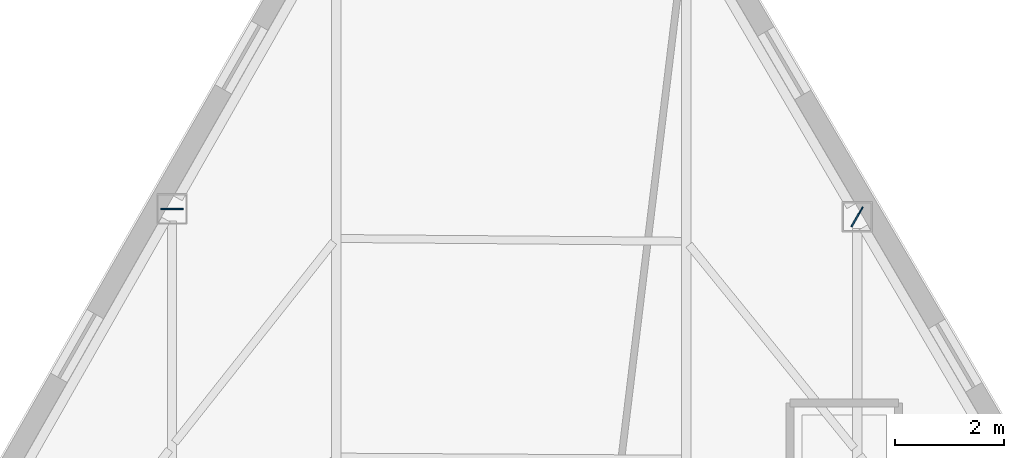
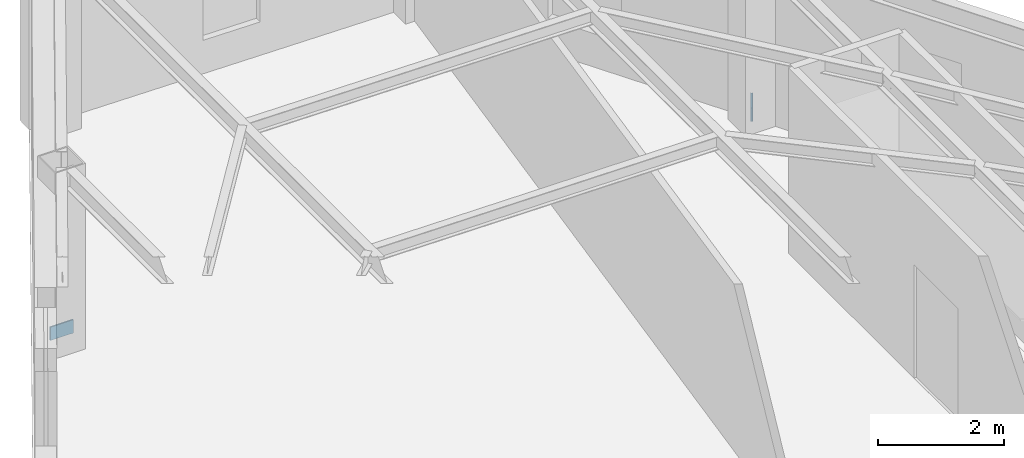
# One storey, part 6 of 10: 2 plates.
"""IFC4 building model written with IfcOpenShell, lengths in metres."""

import ifcopenshell
import ifcopenshell.guid

model = None  # the IFC model being written
_history = None  # IfcOwnerHistory: only IFC2X3 demands one
_inside = {}  # id of a spatial element -> (the spatial element, [elements in it])
_under = {}  # id of a project, library or spatial element -> (it, [spatial elements below it])
_declared = {}  # id of a project -> (the project, [libraries it declares])
_typed = {}  # id of a type object -> (the type object, [elements of that type])
_made_of = {}  # id of a material, layer set ... -> (it, [elements and type objects made of it])


def new_model(schema):
    """Start an empty IFC model of exactly this schema.

    Asked for "IFC4X3", IfcOpenShell would pick the latest addendum, in which some entities
    have other attributes; the version numbers below select the first issue.
    IFC2X3 requires an IfcOwnerHistory on every rooted entity: one is made here for all.
    """
    global model, _history
    if schema == "IFC4X3":
        model = ifcopenshell.file(schema_version=(4, 3, 0, 0))
    else:
        model = ifcopenshell.file(schema=schema)
    _inside.clear()
    _under.clear()
    _declared.clear()
    _typed.clear()
    _made_of.clear()
    _history = None
    if model.schema == "IFC2X3":
        org = make("IfcOrganization", Name="unknown")
        user = make(
            "IfcPersonAndOrganization",
            ThePerson=make("IfcPerson", FamilyName="unknown"),
            TheOrganization=org,
        )
        app = make(
            "IfcApplication",
            ApplicationDeveloper=org,
            Version="unknown",
            ApplicationFullName="unknown",
            ApplicationIdentifier="unknown",
        )
        _history = make(
            "IfcOwnerHistory",
            OwningUser=user,
            OwningApplication=app,
            ChangeAction="ADDED",
            CreationDate=0,
        )
    return model


def make(cls, **values):
    """One entity of the class cls with the attributes given. An attribute that is None is left unset."""
    return model.create_entity(
        cls, **{name: value for name, value in values.items() if value is not None}
    )


def rooted(cls, **values):
    """An entity with a GlobalId (a new one), such as an element, a storey or a relation."""
    return make(cls, GlobalId=ifcopenshell.guid.new(), OwnerHistory=_history, **values)


def si_unit(unit_type, name, prefix=None):
    """IfcSIUnit, for example si_unit("LENGTHUNIT", "METRE", prefix="MILLI")."""
    return make("IfcSIUnit", UnitType=unit_type, Prefix=prefix, Name=name)


def assignment(units):
    """IfcUnitAssignment: the units of a project."""
    return None if units is None else make("IfcUnitAssignment", Units=units)


def point(xyz):
    """IfcCartesianPoint."""
    return None if xyz is None else make("IfcCartesianPoint", Coordinates=xyz)


def direction(xyz):
    """IfcDirection."""
    return None if xyz is None else make("IfcDirection", DirectionRatios=xyz)


def frame(location, z_axis=None, x_axis=None):
    """IfcAxis2Placement3D, a coordinate frame: its origin and axes. An axis left out is left unset."""
    return make(
        "IfcAxis2Placement3D",
        Location=point(location),
        Axis=direction(z_axis),
        RefDirection=direction(x_axis),
    )


def frame_2d(location, x_axis=None):
    """IfcAxis2Placement2D, a coordinate frame in the plane: its origin and x axis."""
    return make(
        "IfcAxis2Placement2D", Location=point(location), RefDirection=direction(x_axis)
    )


def origin():
    """The frame at (0, 0, 0) with its axes left unset."""
    return frame((0.0, 0.0, 0.0))


def origin_2d():
    """The frame at (0, 0) in the plane with its x axis left unset."""
    return frame_2d((0.0, 0.0))


def place(relative_to, where):
    """IfcLocalPlacement: puts the frame where relative to a parent placement (None: the world)."""
    return make(
        "IfcLocalPlacement", PlacementRelTo=relative_to, RelativePlacement=where
    )


def context(
    kind, dimensions, precision=None, world=None, true_north=None, identifier=None
):
    """IfcGeometricRepresentationContext, for example the 3D "Model" context."""
    return make(
        "IfcGeometricRepresentationContext",
        ContextIdentifier=identifier,
        ContextType=kind,
        CoordinateSpaceDimension=dimensions,
        Precision=precision,
        WorldCoordinateSystem=world,
        TrueNorth=true_north,
    )


def subcontext(parent, identifier, kind, view, scale=None):
    """IfcGeometricRepresentationSubContext, for example "Body" below "Model"."""
    return make(
        "IfcGeometricRepresentationSubContext",
        ContextIdentifier=identifier,
        ContextType=kind,
        ParentContext=parent,
        TargetScale=scale,
        TargetView=view,
    )


def project(units=None, contexts=None):
    """IfcProject with its units and contexts."""
    return rooted(
        "IfcProject",
        Name="project",
        RepresentationContexts=contexts,
        UnitsInContext=assignment(units),
    )


def spatial(cls, under=None, at=None, **own):
    """A site, building, storey or space (cls), placed at a placement, below another one or the project."""
    s = rooted(cls, ObjectPlacement=at, **own)
    if under is not None:
        _under.setdefault(under.id(), (under, []))[1].append(s)
    return s


def profile(cls, at=None, kind="AREA", **sizes):
    """A parametric profile (cls). Its sizes go by their IFC names, for example OverallWidth=200.0."""
    return make(cls, ProfileType=kind, Position=at, **sizes)


def rectangle(**sizes):
    """IfcRectangleProfileDef."""
    return profile("IfcRectangleProfileDef", **sizes)


def extrude(swept, where, along, depth):
    """IfcExtrudedAreaSolid: the profile swept, set in the frame where, extruded along a direction by depth."""
    return make(
        "IfcExtrudedAreaSolid",
        SweptArea=swept,
        Position=where,
        ExtrudedDirection=direction(along),
        Depth=depth,
    )


def shape(context_of_items, identifier, shape_type, items):
    """IfcShapeRepresentation: the items that make up one representation, for example the "Body"."""
    return make(
        "IfcShapeRepresentation",
        ContextOfItems=context_of_items,
        RepresentationIdentifier=identifier,
        RepresentationType=shape_type,
        Items=items,
    )


def material(Name=None, Category=None):
    """IfcMaterial."""
    return make("IfcMaterial", Name=Name, Category=Category)


def layer(
    of_material, thickness, ventilated=None, Name=None, Category=None, Priority=None
):
    """IfcMaterialLayer: one layer of a wall or slab, of a material (None: an air gap)."""
    return make(
        "IfcMaterialLayer",
        Material=of_material,
        LayerThickness=thickness,
        IsVentilated=ventilated,
        Name=Name,
        Category=Category,
        Priority=Priority,
    )


def layer_set(layers, Name=None):
    """IfcMaterialLayerSet."""
    return make("IfcMaterialLayerSet", MaterialLayers=layers, LayerSetName=Name)


def made_of(thing, what):
    """Note that an element or type object is made of a material, layer set ...; save() writes the relation."""
    if what is not None:
        _made_of.setdefault(what.id(), (what, []))[1].append(thing)
    return thing


def type_object(cls, material=None, **own):
    """A type object (cls), such as IfcWallType, which elements share."""
    return made_of(rooted(cls, **own), material)


def element(
    cls,
    number,
    at=None,
    inside=None,
    cuts=None,
    type_object=None,
    material=None,
    context=None,
    identifier="Body",
    shape_type=None,
    held_by="IfcProductDefinitionShape",
    body=None,
    shapes=None,
    **own,
):
    """One element of the class cls, such as IfcWall. Its Tag is "e" and its number.

    at: its placement. inside: the storey or other place that contains it. cuts: it is an
    opening in that element (IfcRelVoidsElement). A single representation is given by context,
    identifier, shape_type and body (its items); several are given by shapes. held_by: the class
    of the entity that holds the representations. save() writes the other relations.
    """
    e = rooted(cls, Tag="e%d" % number, ObjectPlacement=at, **own)
    if body is not None:
        shapes = [shape(context, identifier, shape_type, body)]
    if shapes is not None:
        e.Representation = make(held_by, Representations=shapes)
    if inside is not None:
        _inside.setdefault(inside.id(), (inside, []))[1].append(e)
    if cuts is not None:
        rooted(
            "IfcRelVoidsElement", RelatingBuildingElement=cuts, RelatedOpeningElement=e
        )
    if type_object is not None:
        _typed.setdefault(type_object.id(), (type_object, []))[1].append(e)
    return made_of(e, material)


def aggregate(whole, parts):
    """IfcRelAggregates: a whole, such as a stair, and the parts it consists of."""
    return rooted("IfcRelAggregates", RelatingObject=whole, RelatedObjects=parts)


def save(model, path):
    """Write the relations noted so far, then the file.

    IfcRelAggregates (storeys below a building ...), IfcRelContainedInSpatialStructure (elements
    in a storey), IfcRelDefinesByType, IfcRelAssociatesMaterial and IfcRelDeclares: one each for
    every whole, place, type object, material and project.
    """
    for whole, parts in _under.values():
        aggregate(whole, parts)
    for where, things in _inside.values():
        rooted(
            "IfcRelContainedInSpatialStructure",
            RelatedElements=things,
            RelatingStructure=where,
        )
    for kind, things in _typed.values():
        rooted("IfcRelDefinesByType", RelatedObjects=things, RelatingType=kind)
    for what, things in _made_of.values():
        rooted("IfcRelAssociatesMaterial", RelatedObjects=things, RelatingMaterial=what)
    for by, libraries in _declared.values():
        rooted("IfcRelDeclares", RelatingContext=by, RelatedDefinitions=libraries)
    model.write(path)


model = new_model("IFC4")

# Units and contexts
model_context = context("Model", 3, precision=1e-05, world=origin(), true_north=direction((0.0, 1.0)))
body_context = subcontext(model_context, "Body", "Model", "MODEL_VIEW")
ifc_project = project(units=[si_unit("LENGTHUNIT", "METRE"), si_unit("AREAUNIT", "SQUARE_METRE"), si_unit("VOLUMEUNIT", "CUBIC_METRE"), si_unit("PLANEANGLEUNIT", "RADIAN"), si_unit("MASSUNIT", "GRAM", prefix="KILO")], contexts=[model_context])

# Site, building, storey
site_placement = place(None, origin())
site = spatial("IfcSite", under=ifc_project, at=site_placement, CompositionType="ELEMENT")
building_placement = place(site_placement, origin())
building = spatial("IfcBuilding", under=site, at=building_placement, Name="Kavelnor Concourse Tower", CompositionType="ELEMENT")
storey_placement = place(building_placement, frame((0.0, 0.0, 251.050048828125)))
storey = spatial("IfcBuildingStorey", under=building, at=storey_placement, Name="L63", CompositionType="ELEMENT", Elevation=251.050048828125)

# Plates
ifc_material = material(Name="Steel Grade 350", Category="steel")
ifc_layer = layer(ifc_material, 0.02490234375, Name="Steel Grade 350")
ifc_layer_set = layer_set([ifc_layer], Name="Steel Grade 350")
plate_type = type_object("IfcPlateType", Name="PL-SPLICE-FLANGE", PredefinedType="SHEET", material=ifc_layer_set)
for number, where, z_axis, x_axis, name in (
    (1, (31.81982421875, 37.976318359375, 0.169921875), (0.0, 0.0, 1.0), (1.0, 0.0, 0.0), "L63 Column Flange Splice Plate F0-B1"),
    (2, (44.437255859375, 37.831787109375, 0.169921875), (0.0, 0.0, 1.0), (-0.5, -0.866025403784, 0.0), "L63 Column Flange Splice Plate F2-B5"),
):
    element("IfcPlate", number, at=place(storey_placement, frame(where, z_axis=z_axis, x_axis=x_axis)), inside=storey, type_object=plate_type, Name=name, PredefinedType="SHEET", context=body_context, shape_type="SweptSolid", body=[
        extrude(rectangle(XDim=0.419921875, YDim=0.02490234375, at=origin_2d()), origin(), (0.0, 0.0, 1.0), 0.260009765625),
    ])

save(model, "model.ifc")
